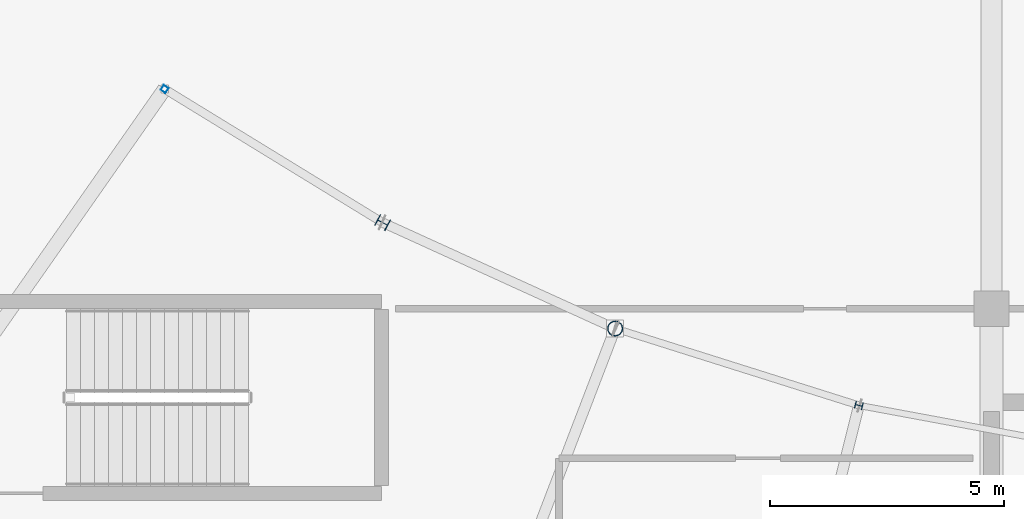
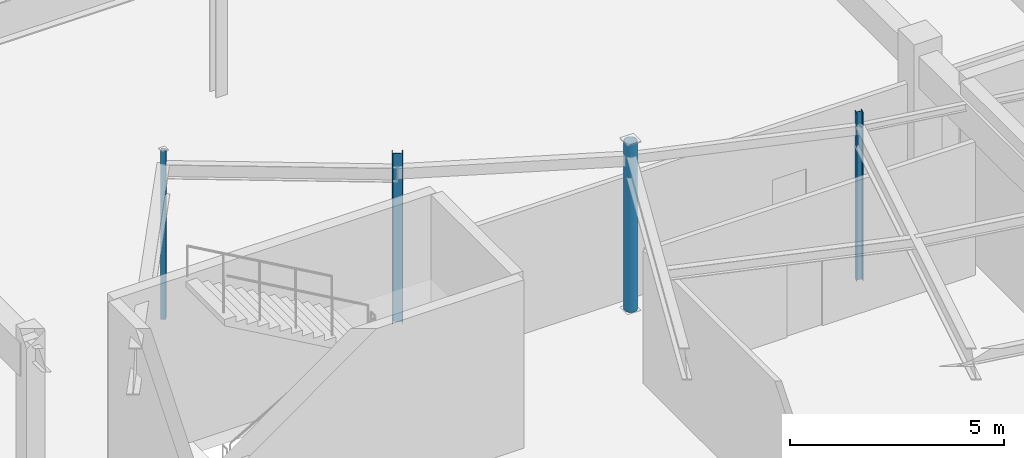
# One storey, part 7 of 186: 4 columns.
"""IFC4 building model written with IfcOpenShell, lengths in metres."""

from ifc_helpers import new_model, si_unit, direction, frame, origin, origin_2d, place, context, subcontext, project, spatial, hollow_rectangle, hollow_circle, i_section, extrude, material, material_profile, profile_set, type_object, element, save


model = new_model("IFC4")

# Units and contexts
model_context = context("Model", 3, precision=1e-05, world=origin(), true_north=direction((0.0, 1.0)))
body_context = subcontext(model_context, "Body", "Model", "MODEL_VIEW")
ifc_project = project(units=[si_unit("LENGTHUNIT", "METRE"), si_unit("AREAUNIT", "SQUARE_METRE"), si_unit("VOLUMEUNIT", "CUBIC_METRE"), si_unit("PLANEANGLEUNIT", "RADIAN"), si_unit("MASSUNIT", "GRAM", prefix="KILO")], contexts=[model_context])

# Site, building, storey
site_placement = place(None, origin())
site = spatial("IfcSite", under=ifc_project, at=site_placement, CompositionType="ELEMENT")
building_placement = place(site_placement, origin())
building = spatial("IfcBuilding", under=site, at=building_placement, Name="Tarnwether General Hospital", CompositionType="ELEMENT")
storey_placement = place(building_placement, frame((0.0, 0.0, 9.60009765625)))
storey = spatial("IfcBuildingStorey", under=building, at=storey_placement, Name="L02", CompositionType="ELEMENT", Elevation=9.60009765625)

# Columns
ifc_material_1 = material(Name="Steel Grade 350 (350 MPa)", Category="steel")
ifc_material_profile_1 = material_profile(ifc_material_1, i_section(OverallWidth=0.25390625, OverallDepth=0.25390625, WebThickness=0.008544921875, FlangeThickness=0.01416015625, at=origin_2d()), Name="250UC72.9")
ifc_profile_set_1 = profile_set([ifc_material_profile_1], Name="Steel Grade 350 (350 MPa)")
column_type_1 = type_object("IfcColumnType", Name="COL-24", PredefinedType="COLUMN", material=ifc_profile_set_1)
column_1_placement = place(storey_placement, frame((70.968017578125, 23.444091796875, 0.0), z_axis=(0.0, 0.0, 1.0), x_axis=(0.469471562786, 0.882947592859, 0.0)))
element("IfcColumn", 1, at=column_1_placement, inside=storey, type_object=column_type_1, Name="Column COLG-L02-7097_2344", PredefinedType="COLUMN", context=body_context, shape_type="SweptSolid", body=[
    extrude(i_section(OverallWidth=0.25390625, OverallDepth=0.25390625, WebThickness=0.008544921875, FlangeThickness=0.01416015625, at=origin_2d()), origin(), (0.0, 0.0, 1.0), 4.7998046875),
])
ifc_material_2 = material(Name="Steel Grade C350L0 (350 MPa)", Category="steel")
ifc_material_profile_2 = material_profile(ifc_material_2, hollow_circle(Radius=0.161865234375, WallThickness=0.0126953125, at=origin_2d()), Name="CHS323.9x12.7")
ifc_profile_set_2 = profile_set([ifc_material_profile_2], Name="Steel Grade C350L0 (350 MPa)")
column_type_2 = type_object("IfcColumnType", Name="COL-26", PredefinedType="COLUMN", material=ifc_profile_set_2)
column_2_placement = place(storey_placement, frame((75.945068359375, 21.176025390625, 0.0), z_axis=(0.0, 0.0, 1.0), x_axis=(0.358367949545, 0.933580426497, 0.0)))
element("IfcColumn", 2, at=column_2_placement, inside=storey, type_object=column_type_2, Name="Column COLG-L02-7594_2118", PredefinedType="COLUMN", context=body_context, shape_type="SweptSolid", body=[
    extrude(hollow_circle(Radius=0.161865234375, WallThickness=0.0126953125, at=origin_2d()), origin(), (0.0, 0.0, 1.0), 4.7998046875),
])
ifc_material_3 = material(Name="Steel Grade 350 (350 MPa)", Category="steel")
ifc_material_profile_3 = material_profile(ifc_material_3, i_section(OverallWidth=0.154052734375, OverallDepth=0.162109375, WebThickness=0.008056640625, FlangeThickness=0.011474609375, at=origin_2d()), Name="150UC37.2")
ifc_profile_set_3 = profile_set([ifc_material_profile_3], Name="Steel Grade 350 (350 MPa)")
column_type_3 = type_object("IfcColumnType", Name="COL-28", PredefinedType="COLUMN", material=ifc_profile_set_3)
column_3_placement = place(storey_placement, frame((81.162109375, 19.531005859375, 0.0), z_axis=(0.0, 0.0, 1.0), x_axis=(0.2419218956, 0.970295726276, 0.0)))
element("IfcColumn", 3, at=column_3_placement, inside=storey, type_object=column_type_3, Name="Column COLG-L02-8116_1953", PredefinedType="COLUMN", context=body_context, shape_type="SweptSolid", body=[
    extrude(i_section(OverallWidth=0.154052734375, OverallDepth=0.162109375, WebThickness=0.008056640625, FlangeThickness=0.011474609375, at=origin_2d()), origin(), (0.0, 0.0, 1.0), 4.7998046875),
])
ifc_material_4 = material(Name="Steel Grade C350L0 (350 MPa)", Category="steel")
ifc_material_profile_4 = material_profile(ifc_material_4, hollow_rectangle(XDim=0.125, YDim=0.125, WallThickness=0.006103515625, at=origin_2d()), Name="SHS125x125x6")
ifc_profile_set_4 = profile_set([ifc_material_profile_4], Name="Steel Grade C350L0 (350 MPa)")
column_type_4 = type_object("IfcColumnType", Name="COL-34", PredefinedType="COLUMN", material=ifc_profile_set_4)
column_4_placement = place(storey_placement, frame((66.303955078125, 26.302001953125, 0.0), z_axis=(0.0, 0.0, 1.0), x_axis=(0.573576436351, 0.819152044289, 0.0)))
element("IfcColumn", 4, at=column_4_placement, inside=storey, type_object=column_type_4, Name="Column COLG-L02-6630_2630", PredefinedType="COLUMN", context=body_context, shape_type="SweptSolid", body=[
    extrude(hollow_rectangle(XDim=0.125, YDim=0.125, WallThickness=0.006103515625, at=origin_2d()), origin(), (0.0, 0.0, 1.0), 4.7998046875),
])

save(model, "model.ifc")
